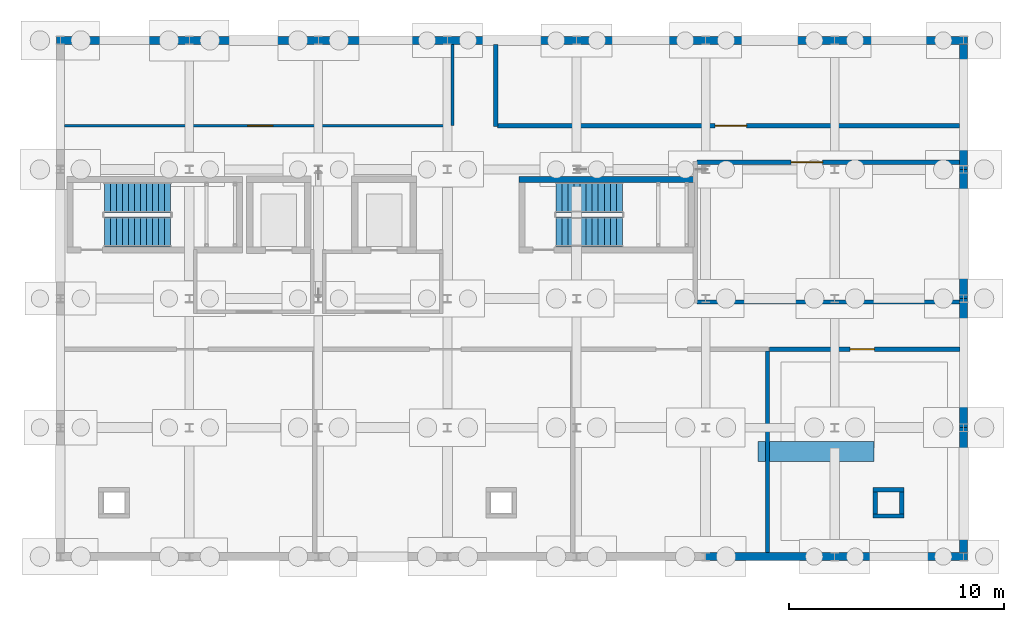
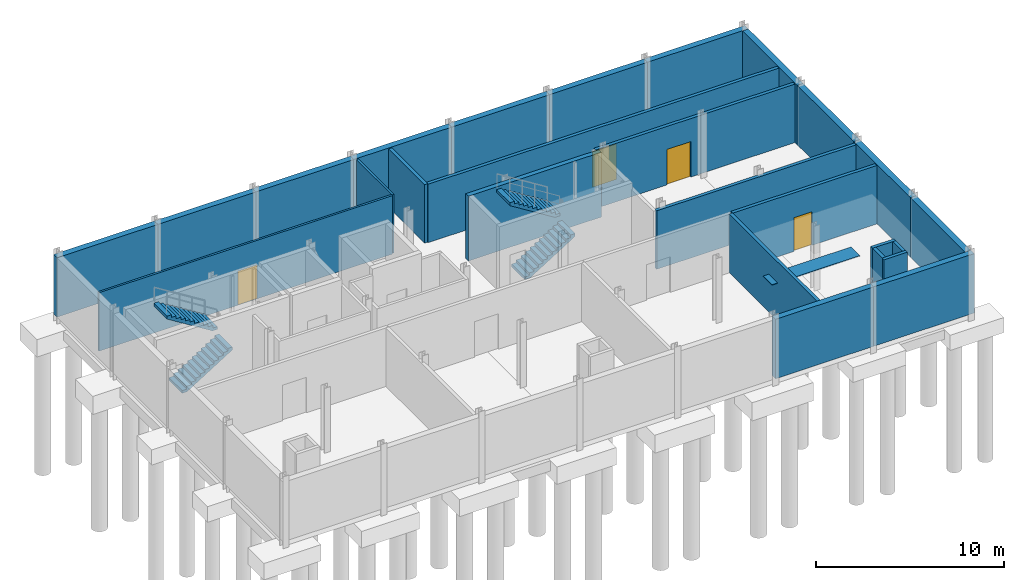
# One storey, part 10 of 12: 26 walls, 4 doors, 4 stair flights, 1 discrete accessory, 4 openings, 2 elements without a shape of their own.
"""IFC4 building model written with IfcOpenShell, lengths in metres."""

from ifc_helpers import new_model, si_unit, direction, frame, frame_2d, origin, origin_2d, place, context, subcontext, project, spatial, polyline, rectangle, outline, extrude, material, layer, layer_set, type_object, element, fill, aggregate, save


model = new_model("IFC4")

# Units and contexts
model_context = context("Model", 3, precision=1e-05, world=origin(), true_north=direction((0.0, 1.0)))
body_context = subcontext(model_context, "Body", "Model", "MODEL_VIEW")
ifc_project = project(units=[si_unit("LENGTHUNIT", "METRE"), si_unit("AREAUNIT", "SQUARE_METRE"), si_unit("VOLUMEUNIT", "CUBIC_METRE"), si_unit("PLANEANGLEUNIT", "RADIAN"), si_unit("MASSUNIT", "GRAM", prefix="KILO")], contexts=[model_context])

# Site, building, storey
site_placement = place(None, origin())
site = spatial("IfcSite", under=ifc_project, at=site_placement, CompositionType="ELEMENT")
building_placement = place(site_placement, origin())
building = spatial("IfcBuilding", under=site, at=building_placement, Name="Siltcreek Boulevard Central Fire Station", CompositionType="ELEMENT")
storey_placement = place(building_placement, frame((0.0, 0.0, -4.199951171875)))
storey = spatial("IfcBuildingStorey", under=building, at=storey_placement, Name="B01", CompositionType="ELEMENT", Elevation=-4.199951171875)

# Walls
ifc_material_1 = material(Name="Concrete C40/50", Category="concrete")
ifc_layer_1 = layer(ifc_material_1, 0.280029296875, Name="Concrete C40/50")
ifc_layer_set_1 = layer_set([ifc_layer_1], Name="Concrete C40/50")
wall_type_1 = type_object("IfcWallType", Name="CW_SHEAR280", PredefinedType="SHEAR", material=ifc_layer_set_1)
wall_1_placement = place(storey_placement, frame((153.679931640625, 105.739990234375, 0.0), z_axis=(0.0, 0.0, 1.0), x_axis=(-1.0, 0.0, 0.0)))
element("IfcWall", 1, at=wall_1_placement, inside=storey, type_object=wall_type_1, Name="B01 ST-V5B stair enclosure north shear wall", PredefinedType="SHEAR", context=body_context, shape_type="SweptSolid", body=[
    extrude(rectangle(XDim=8.159912109375, YDim=0.280029296875, at=frame_2d((4.080078125, 0.0))), origin(), (0.0, 0.0, 1.0), 4.199951171875),
])
ifc_material_2 = material(Name="Concrete C35/45", Category="concrete")
ifc_layer_2 = layer(ifc_material_2, 0.364990234375, Name="Concrete C35/45")
ifc_layer_set_2 = layer_set([ifc_layer_2], Name="Concrete C35/45")
wall_type_2 = type_object("IfcWallType", Name="EW_BSM365", PredefinedType="SHEAR", material=ifc_layer_set_2)
wall_2_placement = place(storey_placement, frame((154.200927734375, 88.199951171875, 0.0), z_axis=(0.0, 0.0, 1.0), x_axis=(1.0, 0.0, 0.0)))
element("IfcWall", 2, at=wall_2_placement, inside=storey, type_object=wall_type_2, Name="Basement perimeter concrete wall BW-0276", PredefinedType="SHEAR", context=body_context, shape_type="SweptSolid", body=[
    extrude(rectangle(XDim=5.998046875, YDim=0.364990234375, at=frame_2d((2.9990234375, 0.0))), origin(), (0.0, 0.0, 1.0), 3.849853515625),
])
wall_3_placement = place(storey_placement, frame((160.200927734375, 88.199951171875, 0.0), z_axis=(0.0, 0.0, 1.0), x_axis=(1.0, 0.0, 0.0)))
element("IfcWall", 3, at=wall_3_placement, inside=storey, type_object=wall_type_2, Name="Basement perimeter concrete wall BW-0277", PredefinedType="SHEAR", context=body_context, shape_type="SweptSolid", body=[
    extrude(rectangle(XDim=6.181640625, YDim=0.364990234375, at=frame_2d((3.0908203125, 0.0))), origin(), (0.0, 0.0, 1.0), 3.849853515625),
])
wall_4_placement = place(storey_placement, frame((130.198974609375, 112.199951171875, 0.0), z_axis=(0.0, 0.0, 1.0), x_axis=(-1.0, 0.0, 0.0)))
element("IfcWall", 4, at=wall_4_placement, inside=storey, type_object=wall_type_2, Name="Basement perimeter concrete wall BW-0278", PredefinedType="SHEAR", context=body_context, shape_type="SweptSolid", body=[
    extrude(rectangle(XDim=6.181396484375, YDim=0.364990234375, at=frame_2d((3.0908203125, 0.0))), origin(), (0.0, 0.0, 1.0), 3.849853515625),
])
for number, where, z_axis, x_axis, name in (
    (5, (136.198974609375, 112.199951171875, 0.0), (0.0, 0.0, 1.0), (-1.0, 0.0, 0.0), "Basement perimeter concrete wall BW-0279"),
    (6, (142.198974609375, 112.199951171875, 0.0), (0.0, 0.0, 1.0), (-1.0, 0.0, 0.0), "Basement perimeter concrete wall BW-0280"),
    (7, (148.198974609375, 112.199951171875, 0.0), (0.0, 0.0, 1.0), (-1.0, 0.0, 0.0), "Basement perimeter concrete wall BW-0281"),
    (8, (154.198974609375, 112.199951171875, 0.0), (0.0, 0.0, 1.0), (-1.0, 0.0, 0.0), "Basement perimeter concrete wall BW-0282"),
    (9, (160.198974609375, 112.199951171875, 0.0), (0.0, 0.0, 1.0), (-1.0, 0.0, 0.0), "Basement perimeter concrete wall BW-0283"),
):
    element("IfcWall", number, at=place(storey_placement, frame(where, z_axis=z_axis, x_axis=x_axis)), inside=storey, type_object=wall_type_2, Name=name, PredefinedType="SHEAR", context=body_context, shape_type="SweptSolid", body=[
        extrude(rectangle(XDim=5.998046875, YDim=0.364990234375, at=frame_2d((2.9990234375, 0.0))), origin(), (0.0, 0.0, 1.0), 3.849853515625),
    ])
wall_5_placement = place(storey_placement, frame((166.382568359375, 112.199951171875, 0.0), z_axis=(0.0, 0.0, 1.0), x_axis=(-1.0, 0.0, 0.0)))
element("IfcWall", 10, at=wall_5_placement, inside=storey, type_object=wall_type_2, Name="Basement perimeter concrete wall BW-0284", PredefinedType="SHEAR", context=body_context, shape_type="SweptSolid", body=[
    extrude(rectangle(XDim=6.181640625, YDim=0.364990234375, at=frame_2d((3.0908203125, 0.0))), origin(), (0.0, 0.0, 1.0), 3.849853515625),
])
wall_6_placement = place(storey_placement, frame((166.199951171875, 88.384521484375, 0.0), z_axis=(0.0, 0.0, 1.0), x_axis=(0.0, 1.0, 0.0)))
element("IfcWall", 11, at=wall_6_placement, inside=storey, type_object=wall_type_2, Name="Basement perimeter concrete wall BW-0289", PredefinedType="SHEAR", context=body_context, shape_type="SweptSolid", body=[
    extrude(rectangle(XDim=5.814453125, YDim=0.364990234375, at=frame_2d((2.9072265625, 0.0))), origin(), (0.0, 0.0, 1.0), 3.849853515625),
])
for number, where, z_axis, x_axis, name in (
    (12, (166.199951171875, 94.200927734375, 0.0), (0.0, 0.0, 1.0), (0.0, 1.0, 0.0), "Basement perimeter concrete wall BW-0290"),
    (13, (166.199951171875, 100.200927734375, 0.0), (0.0, 0.0, 1.0), (0.0, 1.0, 0.0), "Basement perimeter concrete wall BW-0291"),
):
    element("IfcWall", number, at=place(storey_placement, frame(where, z_axis=z_axis, x_axis=x_axis)), inside=storey, type_object=wall_type_2, Name=name, PredefinedType="SHEAR", context=body_context, shape_type="SweptSolid", body=[
        extrude(rectangle(XDim=5.998046875, YDim=0.364990234375, at=frame_2d((2.9990234375, 0.0))), origin(), (0.0, 0.0, 1.0), 3.849853515625),
    ])
wall_7_placement = place(storey_placement, frame((166.199951171875, 106.200927734375, 0.0), z_axis=(0.0, 0.0, 1.0), x_axis=(0.0, 1.0, 0.0)))
element("IfcWall", 14, at=wall_7_placement, inside=storey, type_object=wall_type_2, Name="Basement perimeter concrete wall BW-0292", PredefinedType="SHEAR", context=body_context, shape_type="SweptSolid", body=[
    extrude(rectangle(XDim=5.814453125, YDim=0.364990234375, at=frame_2d((2.9072265625, 0.0))), origin(), (0.0, 0.0, 1.0), 3.849853515625),
])
ifc_material_3 = material(Name="Fire-rated concrete masonry and gypsum barrier", Category="masonry")
ifc_layer_3 = layer(ifc_material_3, 0.199951171875, Name="Fire-rated concrete masonry and gypsum barrier")
ifc_layer_set_3 = layer_set([ifc_layer_3], Name="Fire-rated concrete masonry and gypsum barrier")
wall_type_3 = type_object("IfcWallType", Name="IW_FIRE200", PredefinedType="PARTITIONING", material=ifc_layer_set_3)
wall_8_placement = place(storey_placement, frame((161.985107421875, 90.0849609375, 0.0), z_axis=(0.0, 0.0, 1.0), x_axis=(1.0, 0.0, 0.0)))
element("IfcWall", 15, at=wall_8_placement, inside=storey, type_object=wall_type_3, Name="B01 enclosed MEP service riser wall 003-S", PredefinedType="PARTITIONING", context=body_context, shape_type="SweptSolid", body=[
    extrude(rectangle(XDim=1.429931640625, YDim=0.199951171875, at=frame_2d((0.71484375, 0.0))), origin(), (0.0, 0.0, 1.0), 3.7900390625),
])
wall_9_placement = place(storey_placement, frame((163.31494140625, 90.18505859375, 0.0), z_axis=(0.0, 0.0, 1.0), x_axis=(0.0, 1.0, 0.0)))
element("IfcWall", 16, at=wall_9_placement, inside=storey, type_object=wall_type_3, Name="B01 enclosed MEP service riser wall 003-E", PredefinedType="PARTITIONING", context=body_context, shape_type="SweptSolid", body=[
    extrude(rectangle(XDim=1.030029296875, YDim=0.199951171875, at=frame_2d((0.51513671875, 0.0))), origin(), (0.0, 0.0, 1.0), 3.7900390625),
])
wall_10_placement = place(storey_placement, frame((163.4150390625, 91.31494140625, 0.0), z_axis=(0.0, 0.0, 1.0), x_axis=(-1.0, 0.0, 0.0)))
element("IfcWall", 17, at=wall_10_placement, inside=storey, type_object=wall_type_3, Name="B01 enclosed MEP service riser wall 003-N", PredefinedType="PARTITIONING", context=body_context, shape_type="SweptSolid", body=[
    extrude(rectangle(XDim=1.429931640625, YDim=0.199951171875, at=frame_2d((0.71484375, 0.0))), origin(), (0.0, 0.0, 1.0), 3.7900390625),
])
wall_11_placement = place(storey_placement, frame((162.0849609375, 91.215087890625, 0.0), z_axis=(0.0, 0.0, 1.0), x_axis=(0.0, -1.0, 0.0)))
element("IfcWall", 18, at=wall_11_placement, inside=storey, type_object=wall_type_3, Name="B01 enclosed MEP service riser wall 003-W", PredefinedType="PARTITIONING", context=body_context, shape_type="SweptSolid", body=[
    extrude(rectangle(XDim=1.030029296875, YDim=0.199951171875, at=frame_2d((0.51513671875, 0.0))), origin(), (0.0, 0.0, 1.0), 3.7900390625),
])
wall_12_placement = place(storey_placement, frame((157.080078125, 97.760009765625, 0.0), z_axis=(0.0, 0.0, 1.0), x_axis=(0.0, -1.0, 0.0)))
element("IfcWall", 19, at=wall_12_placement, inside=storey, type_object=wall_type_3, Name="B01 Firewater Cistern Tank Room partition 0006", PredefinedType="PARTITIONING", context=body_context, shape_type="SweptSolid", body=[
    extrude(rectangle(XDim=9.37744140625, YDim=0.199951171875, at=frame_2d((4.688720703125, 0.0))), origin(), (0.0, 0.0, 1.0), 3.7900390625),
])

# Wall, opening, door
wall_13_placement = place(storey_placement, frame((157.179931640625, 97.840087890625, 0.0), z_axis=(0.0, 0.0, 1.0), x_axis=(1.0, 0.0, 0.0)))
wall_13 = element("IfcWall", 20, at=wall_13_placement, inside=storey, type_object=wall_type_3, Name="B01 Radio and Fiber Vault partition 0007", PredefinedType="PARTITIONING", context=body_context, shape_type="SweptSolid", body=[
    extrude(rectangle(XDim=8.837646484375, YDim=0.199951171875, at=frame_2d((4.4189453125, 0.0))), origin(), (0.0, 0.0, 1.0), 3.7900390625),
])
opening_1_placement = place(wall_13_placement, frame((3.74169921875, 0.0, 0.0)))
opening_1 = element("IfcOpeningElement", 21, at=opening_1_placement, cuts=wall_13, Name="Opening ID07", PredefinedType="OPENING", context=body_context, shape_type="SweptSolid", body=[
    extrude(rectangle(XDim=1.1298828125, YDim=2.179931640625, at=frame_2d((0.56494140625, 1.08984375))), frame((0.0, 0.10986328125, 0.0), z_axis=(0.0, -1.0, 0.0), x_axis=(1.0, 0.0, 0.0)), (0.0, 0.0, 1.0), 0.219970703125),
])
ifc_material_4 = material(Name="Galvanized steel drill training prop door", Category="steel")
door_type_1 = type_object("IfcDoorType", Name="DR_DRL_113X218", OperationType="NOTDEFINED", PredefinedType="DOOR", material=ifc_material_4)
door_1_placement = place(opening_1_placement, frame((1.1298828125, 0.0, 0.0), z_axis=(0.0, 0.0, 1.0), x_axis=(-1.0, 0.0, 0.0)))
door_1 = element("IfcDoor", 22, at=door_1_placement, inside=storey, type_object=door_type_1, Name="B01 Radio and Fiber Vault door ID-0004", OperationType="SINGLE_SWING_LEFT", OverallHeight=2.179931640625, OverallWidth=1.1298828125, PredefinedType="DOOR", context=body_context, shape_type="SweptSolid", body=[
    extrude(rectangle(XDim=1.1298828125, YDim=2.179931640625, at=frame_2d((0.56494140625, 1.08984375))), frame((0.0, 0.02490234375, 0.0), z_axis=(0.0, -1.0, 0.0), x_axis=(1.0, 0.0, 0.0)), (0.0, 0.0, 1.0), 0.050048828125),
])
fill(opening_1, door_1)

# Wall
wall_14_placement = place(storey_placement, frame((144.43994140625, 108.199951171875, 0.0), z_axis=(0.0, 0.0, 1.0), x_axis=(0.0, 1.0, 0.0)))
element("IfcWall", 23, at=wall_14_placement, inside=storey, type_object=wall_type_3, Name="B01 Uninterruptible Power Battery Plant Room partition 0010", PredefinedType="PARTITIONING", context=body_context, shape_type="SweptSolid", body=[
    extrude(rectangle(XDim=3.817626953125, YDim=0.199951171875, at=frame_2d((1.90869140625, 0.0))), origin(), (0.0, 0.0, 1.0), 3.7900390625),
])

# Wall, opening, door
wall_15_placement = place(storey_placement, frame((166.017578125, 108.239990234375, 0.0), z_axis=(0.0, 0.0, 1.0), x_axis=(-1.0, 0.0, 0.0)))
wall_15 = element("IfcWall", 24, at=wall_15_placement, inside=storey, type_object=wall_type_3, Name="B01 Uninterruptible Power Battery Plant Room partition 0011", PredefinedType="PARTITIONING", context=body_context, shape_type="SweptSolid", body=[
    extrude(rectangle(XDim=21.49755859375, YDim=0.199951171875, at=frame_2d((10.748779296875, 0.0))), origin(), (0.0, 0.0, 1.0), 3.7900390625),
])
opening_2_placement = place(wall_15_placement, frame((9.907958984375, 0.0, 0.0)))
opening_2 = element("IfcOpeningElement", 25, at=opening_2_placement, cuts=wall_15, Name="Opening ID11", PredefinedType="OPENING", context=body_context, shape_type="SweptSolid", body=[
    extrude(rectangle(XDim=1.4599609375, YDim=2.300048828125, at=frame_2d((0.72998046875, 1.14990234375))), frame((0.0, 0.10986328125, 0.0), z_axis=(0.0, -1.0, 0.0), x_axis=(1.0, 0.0, 0.0)), (0.0, 0.0, 1.0), 0.219970703125),
])
ifc_material_5 = material(Name="Hollow metal mechanical plant double-wide door")
door_type_2 = type_object("IfcDoorType", Name="DR_PLT_146X230", OperationType="NOTDEFINED", PredefinedType="DOOR", material=ifc_material_5)
door_2_placement = place(opening_2_placement, frame((1.4599609375, 0.0, 0.0), z_axis=(0.0, 0.0, 1.0), x_axis=(-1.0, 0.0, 0.0)))
door_2 = element("IfcDoor", 26, at=door_2_placement, inside=storey, type_object=door_type_2, Name="B01 Uninterruptible Power Battery Plant Room door ID-0006", OperationType="SINGLE_SWING_LEFT", OverallHeight=2.300048828125, OverallWidth=1.4599609375, PredefinedType="DOOR", context=body_context, shape_type="SweptSolid", body=[
    extrude(rectangle(XDim=1.4599609375, YDim=2.300048828125, at=frame_2d((0.72998046875, 1.14990234375))), frame((0.0, 0.02490234375, 0.0), z_axis=(0.0, -1.0, 0.0), x_axis=(1.0, 0.0, 0.0)), (0.0, 0.0, 1.0), 0.050048828125),
])
fill(opening_2, door_2)

wall_16_placement = place(storey_placement, frame((153.800048828125, 106.530029296875, 0.0), z_axis=(0.0, 0.0, 1.0), x_axis=(1.0, 0.0, 0.0)))
wall_16 = element("IfcWall", 27, at=wall_16_placement, inside=storey, type_object=wall_type_3, Name="B01 Domestic Booster Pump Room partition 0013", PredefinedType="PARTITIONING", context=body_context, shape_type="SweptSolid", body=[
    extrude(rectangle(XDim=12.217529296875, YDim=0.199951171875, at=frame_2d((6.10888671875, 0.0))), origin(), (0.0, 0.0, 1.0), 3.7900390625),
])
opening_3_placement = place(wall_16_placement, frame((4.37939453125, 0.0, 0.0)))
opening_3 = element("IfcOpeningElement", 28, at=opening_3_placement, cuts=wall_16, Name="Opening ID11", PredefinedType="OPENING", context=body_context, shape_type="SweptSolid", body=[
    extrude(rectangle(XDim=1.4599609375, YDim=2.300048828125, at=frame_2d((0.72998046875, 1.14990234375))), frame((0.0, 0.10986328125, 0.0), z_axis=(0.0, -1.0, 0.0), x_axis=(1.0, 0.0, 0.0)), (0.0, 0.0, 1.0), 0.219970703125),
])
door_3_placement = place(opening_3_placement, frame((1.4599609375, 0.0, 0.0), z_axis=(0.0, 0.0, 1.0), x_axis=(-1.0, 0.0, 0.0)))
door_3 = element("IfcDoor", 29, at=door_3_placement, inside=storey, type_object=door_type_2, Name="B01 Domestic Booster Pump Room door ID-0007", OperationType="SINGLE_SWING_RIGHT", OverallHeight=2.300048828125, OverallWidth=1.4599609375, PredefinedType="DOOR", context=body_context, shape_type="SweptSolid", body=[
    extrude(rectangle(XDim=1.4599609375, YDim=2.300048828125, at=frame_2d((0.72998046875, 1.14990234375))), frame((0.0, 0.02490234375, 0.0), z_axis=(0.0, -1.0, 0.0), x_axis=(1.0, 0.0, 0.0)), (0.0, 0.0, 1.0), 0.050048828125),
])
fill(opening_3, door_3)

# Walls
wall_17_placement = place(storey_placement, frame((166.017578125, 100.0400390625, 0.0), z_axis=(0.0, 0.0, 1.0), x_axis=(-1.0, 0.0, 0.0)))
element("IfcWall", 30, at=wall_17_placement, inside=storey, type_object=wall_type_3, Name="B01 Domestic Booster Pump Room partition 0014", PredefinedType="PARTITIONING", context=body_context, shape_type="SweptSolid", body=[
    extrude(rectangle(XDim=12.217529296875, YDim=0.199951171875, at=frame_2d((6.10888671875, 0.0))), origin(), (0.0, 0.0, 1.0), 3.7900390625),
])
ifc_material_6 = material(Name="Interior steel stud gypsum partition", Category="steel")
ifc_layer_4 = layer(ifc_material_6, 0.125, Name="Interior steel stud gypsum partition")
ifc_layer_set_4 = layer_set([ifc_layer_4], Name="Interior steel stud gypsum partition")
wall_type_4 = type_object("IfcWallType", Name="IW_PART125", PredefinedType="PARTITIONING", material=ifc_layer_set_4)
wall_18_placement = place(storey_placement, frame((142.429931640625, 112.017578125, 0.0), z_axis=(0.0, 0.0, 1.0), x_axis=(0.0, -1.0, 0.0)))
element("IfcWall", 31, at=wall_18_placement, inside=storey, type_object=wall_type_4, Name="B01 Emergency Disaster Cache Room partition 0008", PredefinedType="PARTITIONING", context=body_context, shape_type="SweptSolid", body=[
    extrude(rectangle(XDim=3.780029296875, YDim=0.125, at=frame_2d((1.89013671875, 0.0))), origin(), (0.0, 0.0, 1.0), 3.7900390625),
])

# Wall, opening, door
wall_19_placement = place(storey_placement, frame((142.367431640625, 108.239990234375, 0.0), z_axis=(0.0, 0.0, 1.0), x_axis=(-1.0, 0.0, 0.0)))
wall_19 = element("IfcWall", 32, at=wall_19_placement, inside=storey, type_object=wall_type_4, Name="B01 Emergency Disaster Cache Room partition 0009", PredefinedType="PARTITIONING", context=body_context, shape_type="SweptSolid", body=[
    extrude(rectangle(XDim=17.98486328125, YDim=0.125, at=frame_2d((8.992431640625, 0.0))), origin(), (0.0, 0.0, 1.0), 3.7900390625),
])
opening_4_placement = place(wall_19_placement, frame((8.302490234375, 0.0, 0.0)))
opening_4 = element("IfcOpeningElement", 33, at=opening_4_placement, cuts=wall_19, Name="Opening ID06", PredefinedType="OPENING", context=body_context, shape_type="SweptSolid", body=[
    extrude(rectangle(XDim=1.159912109375, YDim=2.199951171875, at=frame_2d((0.580078125, 1.10009765625))), frame((0.0, 0.072509765625, 0.0), z_axis=(0.0, -1.0, 0.0), x_axis=(1.0, 0.0, 0.0)), (0.0, 0.0, 1.0), 0.14501953125),
])
ifc_material_7 = material(Name="Glazed simulation laboratory door")
door_type_3 = type_object("IfcDoorType", Name="DR_LAB_116X220", OperationType="NOTDEFINED", PredefinedType="DOOR", material=ifc_material_7)
door_4_placement = place(opening_4_placement, frame((1.159912109375, 0.0, 0.0), z_axis=(0.0, 0.0, 1.0), x_axis=(-1.0, 0.0, 0.0)))
door_4 = element("IfcDoor", 34, at=door_4_placement, inside=storey, type_object=door_type_3, Name="B01 Emergency Disaster Cache Room door ID-0005", OperationType="SINGLE_SWING_RIGHT", OverallHeight=2.199951171875, OverallWidth=1.159912109375, PredefinedType="DOOR", context=body_context, shape_type="SweptSolid", body=[
    extrude(rectangle(XDim=1.159912109375, YDim=2.199951171875, at=frame_2d((0.580078125, 1.10009765625))), frame((0.0, 0.02490234375, 0.0), z_axis=(0.0, -1.0, 0.0), x_axis=(1.0, 0.0, 0.0)), (0.0, 0.0, 1.0), 0.050048828125),
])
fill(opening_4, door_4)

# Stair, stair flights
ifc_material_8 = material(Name="Precast concrete C40/50", Category="concrete")
stair_type = type_object("IfcStairType", Name="ST_DOG_H42", PredefinedType="HALF_TURN_STAIR", material=ifc_material_8)
stair_1_placement = place(storey_placement, origin())
stair_1 = element("IfcStair", 35, at=stair_1_placement, inside=storey, type_object=stair_type, Name="B01 Enclosed exit stairway ST-V5A", PredefinedType="HALF_TURN_STAIR")
stair_flight_type = type_object("IfcStairFlightType", Name="SF_DOG_H42", PredefinedType="STRAIGHT", material=ifc_material_8)
stair_flight_1_placement = place(storey_placement, frame((126.25, 103.300048828125, 0.0), z_axis=(0.0, 0.0, 1.0), x_axis=(1.0, 0.0, 0.0)))
stair_flight_1 = element("IfcStairFlight", 36, at=stair_flight_1_placement, type_object=stair_flight_type, Name="ST-V5A flight 1", NumberOfRisers=12, NumberOfTreads=11, PredefinedType="STRAIGHT", RiserHeight=0.175, TreadLength=0.28, context=body_context, shape_type="SweptSolid", body=[
    extrude(outline(polyline([(0.0, 0.0), (0.0, 0.175048828125), (0.280029296875, 0.175048828125), (0.280029296875, 0.35009765625), (0.56005859375, 0.35009765625), (0.56005859375, 0.52490234375), (0.840087890625, 0.52490234375), (0.840087890625, 0.699951171875), (1.1201171875, 0.699951171875), (1.1201171875, 0.875), (1.39990234375, 0.875), (1.39990234375, 1.050048828125), (1.679931640625, 1.050048828125), (1.679931640625, 1.22509765625), (1.9599609375, 1.22509765625), (1.9599609375, 1.39990234375), (2.239990234375, 1.39990234375), (2.239990234375, 1.574951171875), (2.52001953125, 1.574951171875), (2.52001953125, 1.75), (2.800048828125, 1.75), (2.800048828125, 1.925048828125), (3.080078125, 1.925048828125), (3.080078125, 2.10009765625), (3.080078125, 1.736328125), (0.3017578125, 0.0), (0.0, 0.0)])), frame((0.0, 0.699951171875, 0.0), z_axis=(0.0, -1.0, 0.0), x_axis=(1.0, 0.0, 0.0)), (0.0, 0.0, 1.0), 1.39990234375),
])
stair_flight_2_placement = place(storey_placement, frame((129.330078125, 104.89990234375, 2.099853515625), z_axis=(0.0, 0.0, 1.0), x_axis=(-1.0, 0.0, 0.0)))
stair_flight_2 = element("IfcStairFlight", 37, at=stair_flight_2_placement, type_object=stair_flight_type, Name="ST-V5A flight 2", NumberOfRisers=12, NumberOfTreads=11, PredefinedType="STRAIGHT", RiserHeight=0.175, TreadLength=0.28, context=body_context, shape_type="SweptSolid", body=[
    extrude(outline(polyline([(0.0, 0.0), (0.0, 0.175048828125), (0.280029296875, 0.175048828125), (0.280029296875, 0.35009765625), (0.56005859375, 0.35009765625), (0.56005859375, 0.52490234375), (0.840087890625, 0.52490234375), (0.840087890625, 0.699951171875), (1.1201171875, 0.699951171875), (1.1201171875, 0.875), (1.39990234375, 0.875), (1.39990234375, 1.050048828125), (1.679931640625, 1.050048828125), (1.679931640625, 1.22509765625), (1.9599609375, 1.22509765625), (1.9599609375, 1.39990234375), (2.239990234375, 1.39990234375), (2.239990234375, 1.574951171875), (2.52001953125, 1.574951171875), (2.52001953125, 1.75), (2.800048828125, 1.75), (2.800048828125, 1.925048828125), (3.080078125, 1.925048828125), (3.080078125, 2.10009765625), (3.080078125, 1.736328125), (0.3017578125, 0.0), (0.0, 0.0)])), frame((0.0, 0.699951171875, 0.0), z_axis=(0.0, -1.0, 0.0), x_axis=(1.0, 0.0, 0.0)), (0.0, 0.0, 1.0), 1.39990234375),
])
aggregate(stair_1, [stair_flight_1, stair_flight_2])

stair_2_placement = place(storey_placement, origin())
stair_2 = element("IfcStair", 38, at=stair_2_placement, inside=storey, type_object=stair_type, Name="B01 Enclosed exit stairway ST-V5B", PredefinedType="HALF_TURN_STAIR")
stair_flight_3_placement = place(storey_placement, frame((147.25, 103.300048828125, 0.0), z_axis=(0.0, 0.0, 1.0), x_axis=(1.0, 0.0, 0.0)))
stair_flight_3 = element("IfcStairFlight", 39, at=stair_flight_3_placement, type_object=stair_flight_type, Name="ST-V5B flight 1", NumberOfRisers=12, NumberOfTreads=11, PredefinedType="STRAIGHT", RiserHeight=0.175, TreadLength=0.28, context=body_context, shape_type="SweptSolid", body=[
    extrude(outline(polyline([(0.0, 0.0), (0.0, 0.175048828125), (0.280029296875, 0.175048828125), (0.280029296875, 0.35009765625), (0.56005859375, 0.35009765625), (0.56005859375, 0.52490234375), (0.840087890625, 0.52490234375), (0.840087890625, 0.699951171875), (1.1201171875, 0.699951171875), (1.1201171875, 0.875), (1.39990234375, 0.875), (1.39990234375, 1.050048828125), (1.679931640625, 1.050048828125), (1.679931640625, 1.22509765625), (1.9599609375, 1.22509765625), (1.9599609375, 1.39990234375), (2.239990234375, 1.39990234375), (2.239990234375, 1.574951171875), (2.52001953125, 1.574951171875), (2.52001953125, 1.75), (2.800048828125, 1.75), (2.800048828125, 1.925048828125), (3.080078125, 1.925048828125), (3.080078125, 2.10009765625), (3.080078125, 1.736328125), (0.3017578125, 0.0), (0.0, 0.0)])), frame((0.0, 0.699951171875, 0.0), z_axis=(0.0, -1.0, 0.0), x_axis=(1.0, 0.0, 0.0)), (0.0, 0.0, 1.0), 1.39990234375),
])
stair_flight_4_placement = place(storey_placement, frame((150.330078125, 104.89990234375, 2.099853515625), z_axis=(0.0, 0.0, 1.0), x_axis=(-1.0, 0.0, 0.0)))
stair_flight_4 = element("IfcStairFlight", 40, at=stair_flight_4_placement, type_object=stair_flight_type, Name="ST-V5B flight 2", NumberOfRisers=12, NumberOfTreads=11, PredefinedType="STRAIGHT", RiserHeight=0.175, TreadLength=0.28, context=body_context, shape_type="SweptSolid", body=[
    extrude(outline(polyline([(0.0, 0.0), (0.0, 0.175048828125), (0.280029296875, 0.175048828125), (0.280029296875, 0.35009765625), (0.56005859375, 0.35009765625), (0.56005859375, 0.52490234375), (0.840087890625, 0.52490234375), (0.840087890625, 0.699951171875), (1.1201171875, 0.699951171875), (1.1201171875, 0.875), (1.39990234375, 0.875), (1.39990234375, 1.050048828125), (1.679931640625, 1.050048828125), (1.679931640625, 1.22509765625), (1.9599609375, 1.22509765625), (1.9599609375, 1.39990234375), (2.239990234375, 1.39990234375), (2.239990234375, 1.574951171875), (2.52001953125, 1.574951171875), (2.52001953125, 1.75), (2.800048828125, 1.75), (2.800048828125, 1.925048828125), (3.080078125, 1.925048828125), (3.080078125, 2.10009765625), (3.080078125, 1.736328125), (0.3017578125, 0.0), (0.0, 0.0)])), frame((0.0, 0.699951171875, 0.0), z_axis=(0.0, -1.0, 0.0), x_axis=(1.0, 0.0, 0.0)), (0.0, 0.0, 1.0), 1.39990234375),
])
aggregate(stair_2, [stair_flight_3, stair_flight_4])

# Discrete accessory
ifc_material_9 = material(Name="Hot-dip galvanized steel facade outrigger bracket", Category="steel")
discrete_accessory_type = type_object("IfcDiscreteAccessoryType", Name="ACC_BRACKET", PredefinedType="BRACKET", material=ifc_material_9)
discrete_accessory_placement = place(storey_placement, frame((159.327392578125, 93.088134765625, 2.411865234375), z_axis=(0.0, 0.0, 1.0), x_axis=(1.0, 0.0, 0.0)))
element("IfcDiscreteAccessory", 41, at=discrete_accessory_placement, inside=storey, type_object=discrete_accessory_type, Name="B01 acoustic ceiling wall ledger bracket 001", PredefinedType="BRACKET", context=body_context, shape_type="SweptSolid", body=[
    extrude(rectangle(XDim=5.39501953125, YDim=0.933837890625, at=origin_2d()), origin(), (0.0, 0.0, 1.0), 0.0400390625),
])

save(model, "model.ifc")
